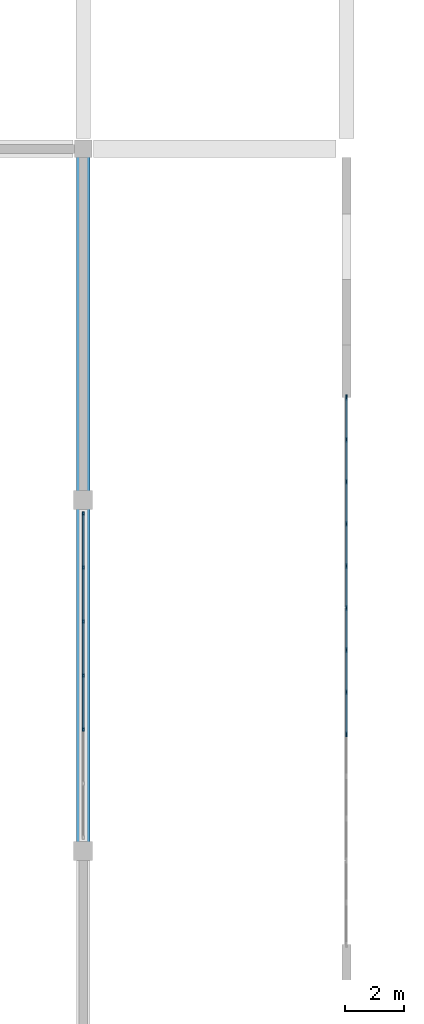
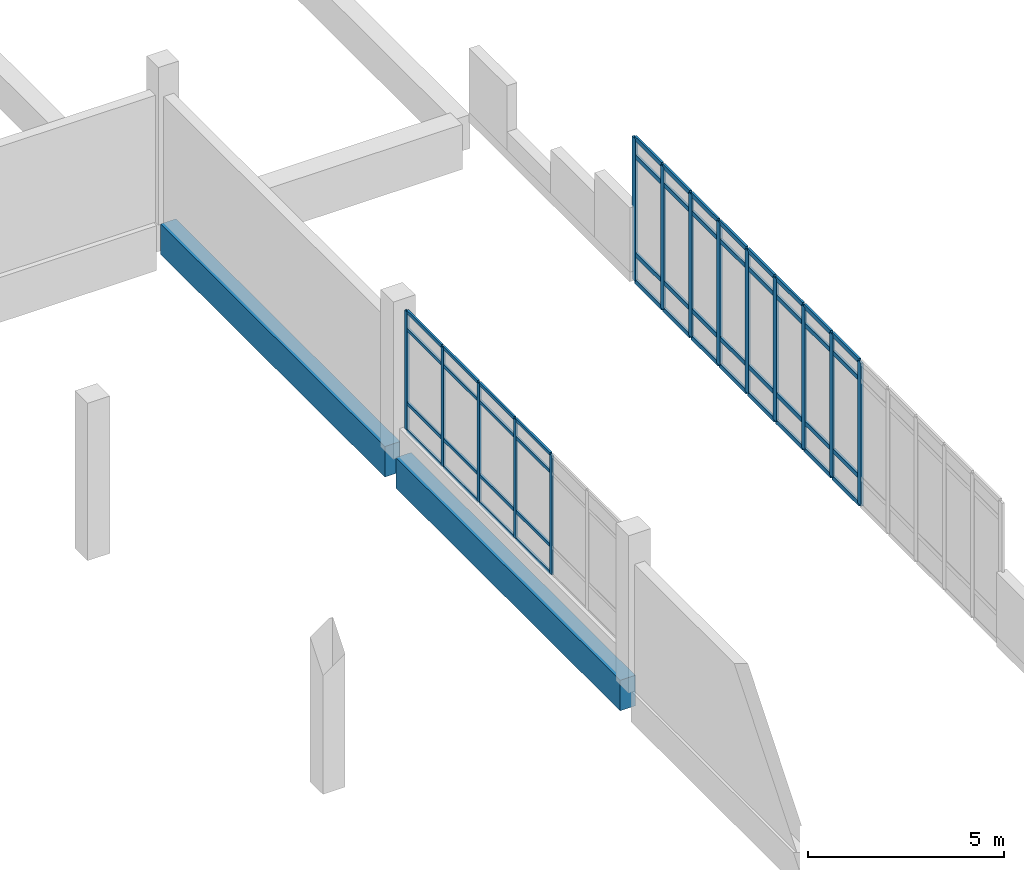
# One storey, part 21 of 63: 62 members, 2 beams, 2 elements without a shape of their own.
"""IFC4 building model written with IfcOpenShell, lengths in metres."""

from ifc_helpers import new_model, si_unit, direction, frame, origin, origin_2d, place, context, subcontext, project, spatial, rectangle, extrude, material, layer, layer_set, material_profile, profile_set, type_object, element, aggregate, save


model = new_model("IFC4")

# Units and contexts
model_context = context("Model", 3, precision=1e-05, world=origin(), true_north=direction((0.0, 1.0)))
body_context = subcontext(model_context, "Body", "Model", "MODEL_VIEW")
ifc_project = project(units=[si_unit("LENGTHUNIT", "METRE"), si_unit("AREAUNIT", "SQUARE_METRE"), si_unit("VOLUMEUNIT", "CUBIC_METRE"), si_unit("PLANEANGLEUNIT", "RADIAN"), si_unit("MASSUNIT", "GRAM", prefix="KILO")], contexts=[model_context])

# Site, building, storey
site_placement = place(None, origin())
site = spatial("IfcSite", under=ifc_project, at=site_placement, CompositionType="ELEMENT")
building_placement = place(site_placement, origin())
building = spatial("IfcBuilding", under=site, at=building_placement, Name="Zacnel Wholesale Market", CompositionType="ELEMENT")
storey_placement = place(building_placement, frame((0.0, 0.0, 11.199951171875)))
storey = spatial("IfcBuildingStorey", under=building, at=storey_placement, Name="L03", CompositionType="ELEMENT", Elevation=11.199951171875)

# Beams
ifc_material_1 = material(Name="Precast concrete C45/55", Category="concrete")
ifc_material_profile_1 = material_profile(ifc_material_1, rectangle(XDim=0.449951171875, YDim=0.949951171875, at=origin_2d()), Name="PG 450x950")
ifc_profile_set_1 = profile_set([ifc_material_profile_1], Name="Precast concrete C45/55")
beam_type = type_object("IfcBeamType", Name="BM-PG950", PredefinedType="BEAM", material=ifc_profile_set_1)
for number, where, z_axis, x_axis, name in (
    (1, (180.0, 108.280029296875, -0.474853515625), (0.0, 1.0, 0.0), (-1.0, 0.0, 0.0), "Crossing drum base girder Y-05"),
    (2, (180.0, 120.280029296875, -0.474853515625), (0.0, 1.0, 0.0), (-1.0, 0.0, 0.0), "Crossing drum base girder Y-06"),
):
    element("IfcBeam", number, at=place(storey_placement, frame(where, z_axis=z_axis, x_axis=x_axis)), inside=storey, type_object=beam_type, Name=name, PredefinedType="BEAM", context=body_context, shape_type="SweptSolid", body=[
        extrude(rectangle(XDim=0.449951171875, YDim=0.949951171875, at=origin_2d()), origin(), (0.0, 0.0, 1.0), 11.43994140625),
    ])

# Curtain wall, members
ifc_material_2 = material(Name="Anodised aluminium", Category="aluminium")
ifc_layer_1 = layer(ifc_material_2, 0.159912109375)
ifc_layer_set_1 = layer_set([ifc_layer_1], Name="Anodised aluminium")
curtain_wall_type_1 = type_object("IfcCurtainWallType", Name="CW-NAVE-4200", PredefinedType="NOTDEFINED", material=ifc_layer_set_1)
curtain_wall_1_placement = place(storey_placement, origin())
curtain_wall_1 = element("IfcCurtainWall", 3, at=curtain_wall_1_placement, inside=storey, type_object=curtain_wall_type_1, Name="Curtain wall ENV-CW-GABLE-NW-E", PredefinedType="NOTDEFINED")
ifc_material_3 = material(Name="Anodised aluminium", Category="aluminium")
ifc_material_profile_2 = material_profile(ifc_material_3, rectangle(XDim=0.06494140625, YDim=0.179931640625, at=origin_2d()), Name="AW-MULLION 65x180")
ifc_profile_set_2 = profile_set([ifc_material_profile_2], Name="Anodised aluminium")
member_type_1 = type_object("IfcMemberType", Name="CWM-MUL-03", PredefinedType="MULLION", material=ifc_profile_set_2)
member_1_placement = place(storey_placement, frame((189.0, 111.9921875, 0.0), z_axis=(0.0, 0.0, 1.0), x_axis=(1.0, 0.0, 0.0)))
member_1 = element("IfcMember", 4, at=member_1_placement, type_object=member_type_1, Name="ENV-CW-GABLE-NW-E mullion 06", PredefinedType="MULLION", context=body_context, shape_type="SweptSolid", body=[
    extrude(rectangle(XDim=0.06494140625, YDim=0.179931640625, at=origin_2d()), origin(), (0.0, 0.0, 1.0), 4.449951171875),
])
member_2_placement = place(storey_placement, frame((189.0, 113.430908203125, 0.0), z_axis=(0.0, 0.0, 1.0), x_axis=(1.0, 0.0, 0.0)))
member_2 = element("IfcMember", 5, at=member_2_placement, type_object=member_type_1, Name="ENV-CW-GABLE-NW-E mullion 07", PredefinedType="MULLION", context=body_context, shape_type="SweptSolid", body=[
    extrude(rectangle(XDim=0.06494140625, YDim=0.179931640625, at=origin_2d()), origin(), (0.0, 0.0, 1.0), 4.449951171875),
])
member_3_placement = place(storey_placement, frame((189.0, 114.869140625, 0.0), z_axis=(0.0, 0.0, 1.0), x_axis=(1.0, 0.0, 0.0)))
member_3 = element("IfcMember", 6, at=member_3_placement, type_object=member_type_1, Name="ENV-CW-GABLE-NW-E mullion 08", PredefinedType="MULLION", context=body_context, shape_type="SweptSolid", body=[
    extrude(rectangle(XDim=0.06494140625, YDim=0.179931640625, at=origin_2d()), origin(), (0.0, 0.0, 1.0), 4.449951171875),
])
member_4_placement = place(storey_placement, frame((189.0, 116.3076171875, 0.0), z_axis=(0.0, 0.0, 1.0), x_axis=(1.0, 0.0, 0.0)))
member_4 = element("IfcMember", 7, at=member_4_placement, type_object=member_type_1, Name="ENV-CW-GABLE-NW-E mullion 09", PredefinedType="MULLION", context=body_context, shape_type="SweptSolid", body=[
    extrude(rectangle(XDim=0.06494140625, YDim=0.179931640625, at=origin_2d()), origin(), (0.0, 0.0, 1.0), 4.449951171875),
])
member_5_placement = place(storey_placement, frame((189.0, 117.74609375, 0.0), z_axis=(0.0, 0.0, 1.0), x_axis=(1.0, 0.0, 0.0)))
member_5 = element("IfcMember", 8, at=member_5_placement, type_object=member_type_1, Name="ENV-CW-GABLE-NW-E mullion 10", PredefinedType="MULLION", context=body_context, shape_type="SweptSolid", body=[
    extrude(rectangle(XDim=0.06494140625, YDim=0.179931640625, at=origin_2d()), origin(), (0.0, 0.0, 1.0), 4.449951171875),
])
member_6_placement = place(storey_placement, frame((189.0, 119.1845703125, 0.0), z_axis=(0.0, 0.0, 1.0), x_axis=(1.0, 0.0, 0.0)))
member_6 = element("IfcMember", 9, at=member_6_placement, type_object=member_type_1, Name="ENV-CW-GABLE-NW-E mullion 11", PredefinedType="MULLION", context=body_context, shape_type="SweptSolid", body=[
    extrude(rectangle(XDim=0.06494140625, YDim=0.179931640625, at=origin_2d()), origin(), (0.0, 0.0, 1.0), 4.449951171875),
])
member_7_placement = place(storey_placement, frame((189.0, 120.623046875, 0.0), z_axis=(0.0, 0.0, 1.0), x_axis=(1.0, 0.0, 0.0)))
member_7 = element("IfcMember", 10, at=member_7_placement, type_object=member_type_1, Name="ENV-CW-GABLE-NW-E mullion 12", PredefinedType="MULLION", context=body_context, shape_type="SweptSolid", body=[
    extrude(rectangle(XDim=0.06494140625, YDim=0.179931640625, at=origin_2d()), origin(), (0.0, 0.0, 1.0), 4.449951171875),
])
member_8_placement = place(storey_placement, frame((189.0, 122.0615234375, 0.0), z_axis=(0.0, 0.0, 1.0), x_axis=(1.0, 0.0, 0.0)))
member_8 = element("IfcMember", 11, at=member_8_placement, type_object=member_type_1, Name="ENV-CW-GABLE-NW-E mullion 13", PredefinedType="MULLION", context=body_context, shape_type="SweptSolid", body=[
    extrude(rectangle(XDim=0.06494140625, YDim=0.179931640625, at=origin_2d()), origin(), (0.0, 0.0, 1.0), 4.449951171875),
])
member_9_placement = place(storey_placement, frame((189.0, 123.5, 0.0), z_axis=(0.0, 0.0, 1.0), x_axis=(1.0, 0.0, 0.0)))
member_9 = element("IfcMember", 12, at=member_9_placement, type_object=member_type_1, Name="ENV-CW-GABLE-NW-E mullion 14", PredefinedType="MULLION", context=body_context, shape_type="SweptSolid", body=[
    extrude(rectangle(XDim=0.06494140625, YDim=0.179931640625, at=origin_2d()), origin(), (0.0, 0.0, 1.0), 4.449951171875),
])

ifc_material_4 = material(Name="Anodised aluminium", Category="aluminium")
ifc_layer_2 = layer(ifc_material_4, 0.14990234375)
ifc_layer_set_2 = layer_set([ifc_layer_2], Name="Anodised aluminium")
curtain_wall_type_2 = type_object("IfcCurtainWallType", Name="CW-CLER-3600", PredefinedType="NOTDEFINED", material=ifc_layer_set_2)
curtain_wall_2_placement = place(storey_placement, origin())
curtain_wall_2 = element("IfcCurtainWall", 13, at=curtain_wall_2_placement, inside=storey, type_object=curtain_wall_type_2, Name="Curtain wall ENV-CW-XDRUM-E-2", PredefinedType="NOTDEFINED")
ifc_material_5 = material(Name="Anodised aluminium", Category="aluminium")
ifc_material_profile_3 = material_profile(ifc_material_5, rectangle(XDim=0.06005859375, YDim=0.1298828125, at=origin_2d()), Name="AW-MULLION 60x130")
ifc_profile_set_3 = profile_set([ifc_material_profile_3], Name="Anodised aluminium")
member_type_2 = type_object("IfcMemberType", Name="CWM-MUL-06", PredefinedType="MULLION", material=ifc_profile_set_3)
member_10_placement = place(storey_placement, frame((180.0, 112.1533203125, 0.900146484375), z_axis=(0.0, 0.0, 1.0), x_axis=(1.0, 0.0, 0.0)))
member_10 = element("IfcMember", 14, at=member_10_placement, type_object=member_type_2, Name="ENV-CW-XDRUM-E-2 mullion 03", PredefinedType="MULLION", context=body_context, shape_type="SweptSolid", body=[
    extrude(rectangle(XDim=0.06005859375, YDim=0.1298828125, at=origin_2d()), origin(), (0.0, 0.0, 1.0), 3.699951171875),
])
member_11_placement = place(storey_placement, frame((180.0, 114.0, 0.900146484375), z_axis=(0.0, 0.0, 1.0), x_axis=(1.0, 0.0, 0.0)))
member_11 = element("IfcMember", 15, at=member_11_placement, type_object=member_type_2, Name="ENV-CW-XDRUM-E-2 mullion 04", PredefinedType="MULLION", context=body_context, shape_type="SweptSolid", body=[
    extrude(rectangle(XDim=0.06005859375, YDim=0.1298828125, at=origin_2d()), origin(), (0.0, 0.0, 1.0), 3.699951171875),
])
member_12_placement = place(storey_placement, frame((180.0, 115.8466796875, 0.900146484375), z_axis=(0.0, 0.0, 1.0), x_axis=(1.0, 0.0, 0.0)))
member_12 = element("IfcMember", 16, at=member_12_placement, type_object=member_type_2, Name="ENV-CW-XDRUM-E-2 mullion 05", PredefinedType="MULLION", context=body_context, shape_type="SweptSolid", body=[
    extrude(rectangle(XDim=0.06005859375, YDim=0.1298828125, at=origin_2d()), origin(), (0.0, 0.0, 1.0), 3.699951171875),
])
member_13_placement = place(storey_placement, frame((180.0, 117.693359375, 0.900146484375), z_axis=(0.0, 0.0, 1.0), x_axis=(1.0, 0.0, 0.0)))
member_13 = element("IfcMember", 17, at=member_13_placement, type_object=member_type_2, Name="ENV-CW-XDRUM-E-2 mullion 06", PredefinedType="MULLION", context=body_context, shape_type="SweptSolid", body=[
    extrude(rectangle(XDim=0.06005859375, YDim=0.1298828125, at=origin_2d()), origin(), (0.0, 0.0, 1.0), 3.699951171875),
])
member_14_placement = place(storey_placement, frame((180.0, 119.5400390625, 0.900146484375), z_axis=(0.0, 0.0, 1.0), x_axis=(1.0, 0.0, 0.0)))
member_14 = element("IfcMember", 18, at=member_14_placement, type_object=member_type_2, Name="ENV-CW-XDRUM-E-2 mullion 07", PredefinedType="MULLION", context=body_context, shape_type="SweptSolid", body=[
    extrude(rectangle(XDim=0.06005859375, YDim=0.1298828125, at=origin_2d()), origin(), (0.0, 0.0, 1.0), 3.699951171875),
])

# Member
ifc_material_6 = material(Name="Anodised aluminium", Category="aluminium")
ifc_material_profile_4 = material_profile(ifc_material_6, rectangle(XDim=0.06494140625, YDim=0.139892578125, at=origin_2d()), Name="AW-TRANSOM 65x140")
ifc_profile_set_4 = profile_set([ifc_material_profile_4], Name="Anodised aluminium")
member_type_3 = type_object("IfcMemberType", Name="CWM-TRN-03", PredefinedType="USERDEFINED", material=ifc_profile_set_4)
member_15_placement = place(storey_placement, frame((189.0, 112.02734375, 0.0), z_axis=(0.0, 1.0, 0.0), x_axis=(-1.0, 0.0, 0.0)))
member_15 = element("IfcMember", 19, at=member_15_placement, type_object=member_type_3, Name="ENV-CW-GABLE-NW-E transom 6-1", ObjectType="TRANSOM", PredefinedType="USERDEFINED", context=body_context, shape_type="SweptSolid", body=[
    extrude(rectangle(XDim=0.06494140625, YDim=0.139892578125, at=origin_2d()), origin(), (0.0, 0.0, 1.0), 1.368408203125),
])

member_16_placement = place(storey_placement, frame((189.0, 112.02734375, 0.85009765625), z_axis=(0.0, 1.0, 0.0), x_axis=(-1.0, 0.0, 0.0)))
member_16 = element("IfcMember", 20, at=member_16_placement, type_object=member_type_3, Name="ENV-CW-GABLE-NW-E transom 6-2", ObjectType="TRANSOM", PredefinedType="USERDEFINED", context=body_context, shape_type="SweptSolid", body=[
    extrude(rectangle(XDim=0.06494140625, YDim=0.139892578125, at=origin_2d()), origin(), (0.0, 0.0, 1.0), 1.368408203125),
])

member_17_placement = place(storey_placement, frame((189.0, 112.02734375, 3.900146484375), z_axis=(0.0, 1.0, 0.0), x_axis=(-1.0, 0.0, 0.0)))
member_17 = element("IfcMember", 21, at=member_17_placement, type_object=member_type_3, Name="ENV-CW-GABLE-NW-E transom 6-3", ObjectType="TRANSOM", PredefinedType="USERDEFINED", context=body_context, shape_type="SweptSolid", body=[
    extrude(rectangle(XDim=0.06494140625, YDim=0.139892578125, at=origin_2d()), origin(), (0.0, 0.0, 1.0), 1.368408203125),
])

member_18_placement = place(storey_placement, frame((189.0, 112.02734375, 4.449951171875), z_axis=(0.0, 1.0, 0.0), x_axis=(-1.0, 0.0, 0.0)))
member_18 = element("IfcMember", 22, at=member_18_placement, type_object=member_type_3, Name="ENV-CW-GABLE-NW-E transom 6-4", ObjectType="TRANSOM", PredefinedType="USERDEFINED", context=body_context, shape_type="SweptSolid", body=[
    extrude(rectangle(XDim=0.06494140625, YDim=0.139892578125, at=origin_2d()), origin(), (0.0, 0.0, 1.0), 1.368408203125),
])

member_19_placement = place(storey_placement, frame((189.0, 113.4658203125, 0.0), z_axis=(0.0, 1.0, 0.0), x_axis=(-1.0, 0.0, 0.0)))
member_19 = element("IfcMember", 23, at=member_19_placement, type_object=member_type_3, Name="ENV-CW-GABLE-NW-E transom 7-1", ObjectType="TRANSOM", PredefinedType="USERDEFINED", context=body_context, shape_type="SweptSolid", body=[
    extrude(rectangle(XDim=0.06494140625, YDim=0.139892578125, at=origin_2d()), origin(), (0.0, 0.0, 1.0), 1.368408203125),
])

member_20_placement = place(storey_placement, frame((189.0, 113.4658203125, 0.85009765625), z_axis=(0.0, 1.0, 0.0), x_axis=(-1.0, 0.0, 0.0)))
member_20 = element("IfcMember", 24, at=member_20_placement, type_object=member_type_3, Name="ENV-CW-GABLE-NW-E transom 7-2", ObjectType="TRANSOM", PredefinedType="USERDEFINED", context=body_context, shape_type="SweptSolid", body=[
    extrude(rectangle(XDim=0.06494140625, YDim=0.139892578125, at=origin_2d()), origin(), (0.0, 0.0, 1.0), 1.368408203125),
])

member_21_placement = place(storey_placement, frame((189.0, 113.4658203125, 3.900146484375), z_axis=(0.0, 1.0, 0.0), x_axis=(-1.0, 0.0, 0.0)))
member_21 = element("IfcMember", 25, at=member_21_placement, type_object=member_type_3, Name="ENV-CW-GABLE-NW-E transom 7-3", ObjectType="TRANSOM", PredefinedType="USERDEFINED", context=body_context, shape_type="SweptSolid", body=[
    extrude(rectangle(XDim=0.06494140625, YDim=0.139892578125, at=origin_2d()), origin(), (0.0, 0.0, 1.0), 1.368408203125),
])

member_22_placement = place(storey_placement, frame((189.0, 113.4658203125, 4.449951171875), z_axis=(0.0, 1.0, 0.0), x_axis=(-1.0, 0.0, 0.0)))
member_22 = element("IfcMember", 26, at=member_22_placement, type_object=member_type_3, Name="ENV-CW-GABLE-NW-E transom 7-4", ObjectType="TRANSOM", PredefinedType="USERDEFINED", context=body_context, shape_type="SweptSolid", body=[
    extrude(rectangle(XDim=0.06494140625, YDim=0.139892578125, at=origin_2d()), origin(), (0.0, 0.0, 1.0), 1.368408203125),
])

member_23_placement = place(storey_placement, frame((189.0, 114.904296875, 0.0), z_axis=(0.0, 1.0, 0.0), x_axis=(-1.0, 0.0, 0.0)))
member_23 = element("IfcMember", 27, at=member_23_placement, type_object=member_type_3, Name="ENV-CW-GABLE-NW-E transom 8-1", ObjectType="TRANSOM", PredefinedType="USERDEFINED", context=body_context, shape_type="SweptSolid", body=[
    extrude(rectangle(XDim=0.06494140625, YDim=0.139892578125, at=origin_2d()), origin(), (0.0, 0.0, 1.0), 1.368408203125),
])

member_24_placement = place(storey_placement, frame((189.0, 114.904296875, 0.85009765625), z_axis=(0.0, 1.0, 0.0), x_axis=(-1.0, 0.0, 0.0)))
member_24 = element("IfcMember", 28, at=member_24_placement, type_object=member_type_3, Name="ENV-CW-GABLE-NW-E transom 8-2", ObjectType="TRANSOM", PredefinedType="USERDEFINED", context=body_context, shape_type="SweptSolid", body=[
    extrude(rectangle(XDim=0.06494140625, YDim=0.139892578125, at=origin_2d()), origin(), (0.0, 0.0, 1.0), 1.368408203125),
])

member_25_placement = place(storey_placement, frame((189.0, 114.904296875, 3.900146484375), z_axis=(0.0, 1.0, 0.0), x_axis=(-1.0, 0.0, 0.0)))
member_25 = element("IfcMember", 29, at=member_25_placement, type_object=member_type_3, Name="ENV-CW-GABLE-NW-E transom 8-3", ObjectType="TRANSOM", PredefinedType="USERDEFINED", context=body_context, shape_type="SweptSolid", body=[
    extrude(rectangle(XDim=0.06494140625, YDim=0.139892578125, at=origin_2d()), origin(), (0.0, 0.0, 1.0), 1.368408203125),
])

member_26_placement = place(storey_placement, frame((189.0, 114.904296875, 4.449951171875), z_axis=(0.0, 1.0, 0.0), x_axis=(-1.0, 0.0, 0.0)))
member_26 = element("IfcMember", 30, at=member_26_placement, type_object=member_type_3, Name="ENV-CW-GABLE-NW-E transom 8-4", ObjectType="TRANSOM", PredefinedType="USERDEFINED", context=body_context, shape_type="SweptSolid", body=[
    extrude(rectangle(XDim=0.06494140625, YDim=0.139892578125, at=origin_2d()), origin(), (0.0, 0.0, 1.0), 1.368408203125),
])

member_27_placement = place(storey_placement, frame((189.0, 116.3427734375, 0.0), z_axis=(0.0, 1.0, 0.0), x_axis=(-1.0, 0.0, 0.0)))
member_27 = element("IfcMember", 31, at=member_27_placement, type_object=member_type_3, Name="ENV-CW-GABLE-NW-E transom 9-1", ObjectType="TRANSOM", PredefinedType="USERDEFINED", context=body_context, shape_type="SweptSolid", body=[
    extrude(rectangle(XDim=0.06494140625, YDim=0.139892578125, at=origin_2d()), origin(), (0.0, 0.0, 1.0), 1.368408203125),
])

member_28_placement = place(storey_placement, frame((189.0, 116.3427734375, 0.85009765625), z_axis=(0.0, 1.0, 0.0), x_axis=(-1.0, 0.0, 0.0)))
member_28 = element("IfcMember", 32, at=member_28_placement, type_object=member_type_3, Name="ENV-CW-GABLE-NW-E transom 9-2", ObjectType="TRANSOM", PredefinedType="USERDEFINED", context=body_context, shape_type="SweptSolid", body=[
    extrude(rectangle(XDim=0.06494140625, YDim=0.139892578125, at=origin_2d()), origin(), (0.0, 0.0, 1.0), 1.368408203125),
])

member_29_placement = place(storey_placement, frame((189.0, 116.3427734375, 3.900146484375), z_axis=(0.0, 1.0, 0.0), x_axis=(-1.0, 0.0, 0.0)))
member_29 = element("IfcMember", 33, at=member_29_placement, type_object=member_type_3, Name="ENV-CW-GABLE-NW-E transom 9-3", ObjectType="TRANSOM", PredefinedType="USERDEFINED", context=body_context, shape_type="SweptSolid", body=[
    extrude(rectangle(XDim=0.06494140625, YDim=0.139892578125, at=origin_2d()), origin(), (0.0, 0.0, 1.0), 1.368408203125),
])

member_30_placement = place(storey_placement, frame((189.0, 116.3427734375, 4.449951171875), z_axis=(0.0, 1.0, 0.0), x_axis=(-1.0, 0.0, 0.0)))
member_30 = element("IfcMember", 34, at=member_30_placement, type_object=member_type_3, Name="ENV-CW-GABLE-NW-E transom 9-4", ObjectType="TRANSOM", PredefinedType="USERDEFINED", context=body_context, shape_type="SweptSolid", body=[
    extrude(rectangle(XDim=0.06494140625, YDim=0.139892578125, at=origin_2d()), origin(), (0.0, 0.0, 1.0), 1.368408203125),
])

member_31_placement = place(storey_placement, frame((189.0, 117.78125, 0.0), z_axis=(0.0, 1.0, 0.0), x_axis=(-1.0, 0.0, 0.0)))
member_31 = element("IfcMember", 35, at=member_31_placement, type_object=member_type_3, Name="ENV-CW-GABLE-NW-E transom 10-1", ObjectType="TRANSOM", PredefinedType="USERDEFINED", context=body_context, shape_type="SweptSolid", body=[
    extrude(rectangle(XDim=0.06494140625, YDim=0.139892578125, at=origin_2d()), origin(), (0.0, 0.0, 1.0), 1.368408203125),
])

member_32_placement = place(storey_placement, frame((189.0, 117.78125, 0.85009765625), z_axis=(0.0, 1.0, 0.0), x_axis=(-1.0, 0.0, 0.0)))
member_32 = element("IfcMember", 36, at=member_32_placement, type_object=member_type_3, Name="ENV-CW-GABLE-NW-E transom 10-2", ObjectType="TRANSOM", PredefinedType="USERDEFINED", context=body_context, shape_type="SweptSolid", body=[
    extrude(rectangle(XDim=0.06494140625, YDim=0.139892578125, at=origin_2d()), origin(), (0.0, 0.0, 1.0), 1.368408203125),
])

member_33_placement = place(storey_placement, frame((189.0, 117.78125, 3.900146484375), z_axis=(0.0, 1.0, 0.0), x_axis=(-1.0, 0.0, 0.0)))
member_33 = element("IfcMember", 37, at=member_33_placement, type_object=member_type_3, Name="ENV-CW-GABLE-NW-E transom 10-3", ObjectType="TRANSOM", PredefinedType="USERDEFINED", context=body_context, shape_type="SweptSolid", body=[
    extrude(rectangle(XDim=0.06494140625, YDim=0.139892578125, at=origin_2d()), origin(), (0.0, 0.0, 1.0), 1.368408203125),
])

member_34_placement = place(storey_placement, frame((189.0, 117.78125, 4.449951171875), z_axis=(0.0, 1.0, 0.0), x_axis=(-1.0, 0.0, 0.0)))
member_34 = element("IfcMember", 38, at=member_34_placement, type_object=member_type_3, Name="ENV-CW-GABLE-NW-E transom 10-4", ObjectType="TRANSOM", PredefinedType="USERDEFINED", context=body_context, shape_type="SweptSolid", body=[
    extrude(rectangle(XDim=0.06494140625, YDim=0.139892578125, at=origin_2d()), origin(), (0.0, 0.0, 1.0), 1.368408203125),
])

member_35_placement = place(storey_placement, frame((189.0, 119.219482421875, 0.0), z_axis=(0.0, 1.0, 0.0), x_axis=(-1.0, 0.0, 0.0)))
member_35 = element("IfcMember", 39, at=member_35_placement, type_object=member_type_3, Name="ENV-CW-GABLE-NW-E transom 11-1", ObjectType="TRANSOM", PredefinedType="USERDEFINED", context=body_context, shape_type="SweptSolid", body=[
    extrude(rectangle(XDim=0.06494140625, YDim=0.139892578125, at=origin_2d()), origin(), (0.0, 0.0, 1.0), 1.36865234375),
])

member_36_placement = place(storey_placement, frame((189.0, 119.219482421875, 0.85009765625), z_axis=(0.0, 1.0, 0.0), x_axis=(-1.0, 0.0, 0.0)))
member_36 = element("IfcMember", 40, at=member_36_placement, type_object=member_type_3, Name="ENV-CW-GABLE-NW-E transom 11-2", ObjectType="TRANSOM", PredefinedType="USERDEFINED", context=body_context, shape_type="SweptSolid", body=[
    extrude(rectangle(XDim=0.06494140625, YDim=0.139892578125, at=origin_2d()), origin(), (0.0, 0.0, 1.0), 1.36865234375),
])

member_37_placement = place(storey_placement, frame((189.0, 119.219482421875, 3.900146484375), z_axis=(0.0, 1.0, 0.0), x_axis=(-1.0, 0.0, 0.0)))
member_37 = element("IfcMember", 41, at=member_37_placement, type_object=member_type_3, Name="ENV-CW-GABLE-NW-E transom 11-3", ObjectType="TRANSOM", PredefinedType="USERDEFINED", context=body_context, shape_type="SweptSolid", body=[
    extrude(rectangle(XDim=0.06494140625, YDim=0.139892578125, at=origin_2d()), origin(), (0.0, 0.0, 1.0), 1.36865234375),
])

member_38_placement = place(storey_placement, frame((189.0, 119.219482421875, 4.449951171875), z_axis=(0.0, 1.0, 0.0), x_axis=(-1.0, 0.0, 0.0)))
member_38 = element("IfcMember", 42, at=member_38_placement, type_object=member_type_3, Name="ENV-CW-GABLE-NW-E transom 11-4", ObjectType="TRANSOM", PredefinedType="USERDEFINED", context=body_context, shape_type="SweptSolid", body=[
    extrude(rectangle(XDim=0.06494140625, YDim=0.139892578125, at=origin_2d()), origin(), (0.0, 0.0, 1.0), 1.36865234375),
])

member_39_placement = place(storey_placement, frame((189.0, 120.658203125, 0.0), z_axis=(0.0, 1.0, 0.0), x_axis=(-1.0, 0.0, 0.0)))
member_39 = element("IfcMember", 43, at=member_39_placement, type_object=member_type_3, Name="ENV-CW-GABLE-NW-E transom 12-1", ObjectType="TRANSOM", PredefinedType="USERDEFINED", context=body_context, shape_type="SweptSolid", body=[
    extrude(rectangle(XDim=0.06494140625, YDim=0.139892578125, at=origin_2d()), origin(), (0.0, 0.0, 1.0), 1.368408203125),
])

member_40_placement = place(storey_placement, frame((189.0, 120.658203125, 0.85009765625), z_axis=(0.0, 1.0, 0.0), x_axis=(-1.0, 0.0, 0.0)))
member_40 = element("IfcMember", 44, at=member_40_placement, type_object=member_type_3, Name="ENV-CW-GABLE-NW-E transom 12-2", ObjectType="TRANSOM", PredefinedType="USERDEFINED", context=body_context, shape_type="SweptSolid", body=[
    extrude(rectangle(XDim=0.06494140625, YDim=0.139892578125, at=origin_2d()), origin(), (0.0, 0.0, 1.0), 1.368408203125),
])

member_41_placement = place(storey_placement, frame((189.0, 120.658203125, 3.900146484375), z_axis=(0.0, 1.0, 0.0), x_axis=(-1.0, 0.0, 0.0)))
member_41 = element("IfcMember", 45, at=member_41_placement, type_object=member_type_3, Name="ENV-CW-GABLE-NW-E transom 12-3", ObjectType="TRANSOM", PredefinedType="USERDEFINED", context=body_context, shape_type="SweptSolid", body=[
    extrude(rectangle(XDim=0.06494140625, YDim=0.139892578125, at=origin_2d()), origin(), (0.0, 0.0, 1.0), 1.368408203125),
])

member_42_placement = place(storey_placement, frame((189.0, 120.658203125, 4.449951171875), z_axis=(0.0, 1.0, 0.0), x_axis=(-1.0, 0.0, 0.0)))
member_42 = element("IfcMember", 46, at=member_42_placement, type_object=member_type_3, Name="ENV-CW-GABLE-NW-E transom 12-4", ObjectType="TRANSOM", PredefinedType="USERDEFINED", context=body_context, shape_type="SweptSolid", body=[
    extrude(rectangle(XDim=0.06494140625, YDim=0.139892578125, at=origin_2d()), origin(), (0.0, 0.0, 1.0), 1.368408203125),
])

member_43_placement = place(storey_placement, frame((189.0, 122.096435546875, 0.0), z_axis=(0.0, 1.0, 0.0), x_axis=(-1.0, 0.0, 0.0)))
member_43 = element("IfcMember", 47, at=member_43_placement, type_object=member_type_3, Name="ENV-CW-GABLE-NW-E transom 13-1", ObjectType="TRANSOM", PredefinedType="USERDEFINED", context=body_context, shape_type="SweptSolid", body=[
    extrude(rectangle(XDim=0.06494140625, YDim=0.139892578125, at=origin_2d()), origin(), (0.0, 0.0, 1.0), 1.36865234375),
])

member_44_placement = place(storey_placement, frame((189.0, 122.096435546875, 0.85009765625), z_axis=(0.0, 1.0, 0.0), x_axis=(-1.0, 0.0, 0.0)))
member_44 = element("IfcMember", 48, at=member_44_placement, type_object=member_type_3, Name="ENV-CW-GABLE-NW-E transom 13-2", ObjectType="TRANSOM", PredefinedType="USERDEFINED", context=body_context, shape_type="SweptSolid", body=[
    extrude(rectangle(XDim=0.06494140625, YDim=0.139892578125, at=origin_2d()), origin(), (0.0, 0.0, 1.0), 1.36865234375),
])

member_45_placement = place(storey_placement, frame((189.0, 122.096435546875, 3.900146484375), z_axis=(0.0, 1.0, 0.0), x_axis=(-1.0, 0.0, 0.0)))
member_45 = element("IfcMember", 49, at=member_45_placement, type_object=member_type_3, Name="ENV-CW-GABLE-NW-E transom 13-3", ObjectType="TRANSOM", PredefinedType="USERDEFINED", context=body_context, shape_type="SweptSolid", body=[
    extrude(rectangle(XDim=0.06494140625, YDim=0.139892578125, at=origin_2d()), origin(), (0.0, 0.0, 1.0), 1.36865234375),
])

member_46_placement = place(storey_placement, frame((189.0, 122.096435546875, 4.449951171875), z_axis=(0.0, 1.0, 0.0), x_axis=(-1.0, 0.0, 0.0)))
member_46 = element("IfcMember", 50, at=member_46_placement, type_object=member_type_3, Name="ENV-CW-GABLE-NW-E transom 13-4", ObjectType="TRANSOM", PredefinedType="USERDEFINED", context=body_context, shape_type="SweptSolid", body=[
    extrude(rectangle(XDim=0.06494140625, YDim=0.139892578125, at=origin_2d()), origin(), (0.0, 0.0, 1.0), 1.36865234375),
])

aggregate(curtain_wall_1, [member_1, member_2, member_3, member_4, member_5, member_6, member_7, member_8, member_9, member_15, member_16, member_17, member_18, member_19, member_20, member_21, member_22, member_23, member_24, member_25, member_26, member_27, member_28, member_29, member_30, member_31, member_32, member_33, member_34, member_35, member_36, member_37, member_38, member_39, member_40, member_41, member_42, member_43, member_44, member_45, member_46])

ifc_material_7 = material(Name="Anodised aluminium", Category="aluminium")
ifc_material_profile_5 = material_profile(ifc_material_7, rectangle(XDim=0.06005859375, YDim=0.10009765625, at=origin_2d()), Name="AW-TRANSOM 60x100")
ifc_profile_set_5 = profile_set([ifc_material_profile_5], Name="Anodised aluminium")
member_type_4 = type_object("IfcMemberType", Name="CWM-TRN-06", PredefinedType="USERDEFINED", material=ifc_profile_set_5)
member_47_placement = place(storey_placement, frame((180.0, 112.188232421875, 0.900146484375), z_axis=(0.0, 1.0, 0.0), x_axis=(-1.0, 0.0, 0.0)))
member_47 = element("IfcMember", 51, at=member_47_placement, type_object=member_type_4, Name="ENV-CW-XDRUM-E-2 transom 3-1", ObjectType="TRANSOM", PredefinedType="USERDEFINED", context=body_context, shape_type="SweptSolid", body=[
    extrude(rectangle(XDim=0.06005859375, YDim=0.10009765625, at=origin_2d()), origin(), (0.0, 0.0, 1.0), 1.77685546875),
])

member_48_placement = place(storey_placement, frame((180.0, 112.188232421875, 1.75), z_axis=(0.0, 1.0, 0.0), x_axis=(-1.0, 0.0, 0.0)))
member_48 = element("IfcMember", 52, at=member_48_placement, type_object=member_type_4, Name="ENV-CW-XDRUM-E-2 transom 3-2", ObjectType="TRANSOM", PredefinedType="USERDEFINED", context=body_context, shape_type="SweptSolid", body=[
    extrude(rectangle(XDim=0.06005859375, YDim=0.10009765625, at=origin_2d()), origin(), (0.0, 0.0, 1.0), 1.77685546875),
])

member_49_placement = place(storey_placement, frame((180.0, 112.188232421875, 4.050048828125), z_axis=(0.0, 1.0, 0.0), x_axis=(-1.0, 0.0, 0.0)))
member_49 = element("IfcMember", 53, at=member_49_placement, type_object=member_type_4, Name="ENV-CW-XDRUM-E-2 transom 3-3", ObjectType="TRANSOM", PredefinedType="USERDEFINED", context=body_context, shape_type="SweptSolid", body=[
    extrude(rectangle(XDim=0.06005859375, YDim=0.10009765625, at=origin_2d()), origin(), (0.0, 0.0, 1.0), 1.77685546875),
])

member_50_placement = place(storey_placement, frame((180.0, 112.188232421875, 4.60009765625), z_axis=(0.0, 1.0, 0.0), x_axis=(-1.0, 0.0, 0.0)))
member_50 = element("IfcMember", 54, at=member_50_placement, type_object=member_type_4, Name="ENV-CW-XDRUM-E-2 transom 3-4", ObjectType="TRANSOM", PredefinedType="USERDEFINED", context=body_context, shape_type="SweptSolid", body=[
    extrude(rectangle(XDim=0.06005859375, YDim=0.10009765625, at=origin_2d()), origin(), (0.0, 0.0, 1.0), 1.77685546875),
])

member_51_placement = place(storey_placement, frame((180.0, 114.034912109375, 0.900146484375), z_axis=(0.0, 1.0, 0.0), x_axis=(-1.0, 0.0, 0.0)))
member_51 = element("IfcMember", 55, at=member_51_placement, type_object=member_type_4, Name="ENV-CW-XDRUM-E-2 transom 4-1", ObjectType="TRANSOM", PredefinedType="USERDEFINED", context=body_context, shape_type="SweptSolid", body=[
    extrude(rectangle(XDim=0.06005859375, YDim=0.10009765625, at=origin_2d()), origin(), (0.0, 0.0, 1.0), 1.77685546875),
])

member_52_placement = place(storey_placement, frame((180.0, 114.034912109375, 1.75), z_axis=(0.0, 1.0, 0.0), x_axis=(-1.0, 0.0, 0.0)))
member_52 = element("IfcMember", 56, at=member_52_placement, type_object=member_type_4, Name="ENV-CW-XDRUM-E-2 transom 4-2", ObjectType="TRANSOM", PredefinedType="USERDEFINED", context=body_context, shape_type="SweptSolid", body=[
    extrude(rectangle(XDim=0.06005859375, YDim=0.10009765625, at=origin_2d()), origin(), (0.0, 0.0, 1.0), 1.77685546875),
])

member_53_placement = place(storey_placement, frame((180.0, 114.034912109375, 4.050048828125), z_axis=(0.0, 1.0, 0.0), x_axis=(-1.0, 0.0, 0.0)))
member_53 = element("IfcMember", 57, at=member_53_placement, type_object=member_type_4, Name="ENV-CW-XDRUM-E-2 transom 4-3", ObjectType="TRANSOM", PredefinedType="USERDEFINED", context=body_context, shape_type="SweptSolid", body=[
    extrude(rectangle(XDim=0.06005859375, YDim=0.10009765625, at=origin_2d()), origin(), (0.0, 0.0, 1.0), 1.77685546875),
])

member_54_placement = place(storey_placement, frame((180.0, 114.034912109375, 4.60009765625), z_axis=(0.0, 1.0, 0.0), x_axis=(-1.0, 0.0, 0.0)))
member_54 = element("IfcMember", 58, at=member_54_placement, type_object=member_type_4, Name="ENV-CW-XDRUM-E-2 transom 4-4", ObjectType="TRANSOM", PredefinedType="USERDEFINED", context=body_context, shape_type="SweptSolid", body=[
    extrude(rectangle(XDim=0.06005859375, YDim=0.10009765625, at=origin_2d()), origin(), (0.0, 0.0, 1.0), 1.77685546875),
])

member_55_placement = place(storey_placement, frame((180.0, 115.881591796875, 0.900146484375), z_axis=(0.0, 1.0, 0.0), x_axis=(-1.0, 0.0, 0.0)))
member_55 = element("IfcMember", 59, at=member_55_placement, type_object=member_type_4, Name="ENV-CW-XDRUM-E-2 transom 5-1", ObjectType="TRANSOM", PredefinedType="USERDEFINED", context=body_context, shape_type="SweptSolid", body=[
    extrude(rectangle(XDim=0.06005859375, YDim=0.10009765625, at=origin_2d()), origin(), (0.0, 0.0, 1.0), 1.776611328125),
])

member_56_placement = place(storey_placement, frame((180.0, 115.881591796875, 1.75), z_axis=(0.0, 1.0, 0.0), x_axis=(-1.0, 0.0, 0.0)))
member_56 = element("IfcMember", 60, at=member_56_placement, type_object=member_type_4, Name="ENV-CW-XDRUM-E-2 transom 5-2", ObjectType="TRANSOM", PredefinedType="USERDEFINED", context=body_context, shape_type="SweptSolid", body=[
    extrude(rectangle(XDim=0.06005859375, YDim=0.10009765625, at=origin_2d()), origin(), (0.0, 0.0, 1.0), 1.776611328125),
])

member_57_placement = place(storey_placement, frame((180.0, 115.881591796875, 4.050048828125), z_axis=(0.0, 1.0, 0.0), x_axis=(-1.0, 0.0, 0.0)))
member_57 = element("IfcMember", 61, at=member_57_placement, type_object=member_type_4, Name="ENV-CW-XDRUM-E-2 transom 5-3", ObjectType="TRANSOM", PredefinedType="USERDEFINED", context=body_context, shape_type="SweptSolid", body=[
    extrude(rectangle(XDim=0.06005859375, YDim=0.10009765625, at=origin_2d()), origin(), (0.0, 0.0, 1.0), 1.776611328125),
])

member_58_placement = place(storey_placement, frame((180.0, 115.881591796875, 4.60009765625), z_axis=(0.0, 1.0, 0.0), x_axis=(-1.0, 0.0, 0.0)))
member_58 = element("IfcMember", 62, at=member_58_placement, type_object=member_type_4, Name="ENV-CW-XDRUM-E-2 transom 5-4", ObjectType="TRANSOM", PredefinedType="USERDEFINED", context=body_context, shape_type="SweptSolid", body=[
    extrude(rectangle(XDim=0.06005859375, YDim=0.10009765625, at=origin_2d()), origin(), (0.0, 0.0, 1.0), 1.776611328125),
])

member_59_placement = place(storey_placement, frame((180.0, 117.728271484375, 0.900146484375), z_axis=(0.0, 1.0, 0.0), x_axis=(-1.0, 0.0, 0.0)))
member_59 = element("IfcMember", 63, at=member_59_placement, type_object=member_type_4, Name="ENV-CW-XDRUM-E-2 transom 6-1", ObjectType="TRANSOM", PredefinedType="USERDEFINED", context=body_context, shape_type="SweptSolid", body=[
    extrude(rectangle(XDim=0.06005859375, YDim=0.10009765625, at=origin_2d()), origin(), (0.0, 0.0, 1.0), 1.776611328125),
])

member_60_placement = place(storey_placement, frame((180.0, 117.728271484375, 1.75), z_axis=(0.0, 1.0, 0.0), x_axis=(-1.0, 0.0, 0.0)))
member_60 = element("IfcMember", 64, at=member_60_placement, type_object=member_type_4, Name="ENV-CW-XDRUM-E-2 transom 6-2", ObjectType="TRANSOM", PredefinedType="USERDEFINED", context=body_context, shape_type="SweptSolid", body=[
    extrude(rectangle(XDim=0.06005859375, YDim=0.10009765625, at=origin_2d()), origin(), (0.0, 0.0, 1.0), 1.776611328125),
])

member_61_placement = place(storey_placement, frame((180.0, 117.728271484375, 4.050048828125), z_axis=(0.0, 1.0, 0.0), x_axis=(-1.0, 0.0, 0.0)))
member_61 = element("IfcMember", 65, at=member_61_placement, type_object=member_type_4, Name="ENV-CW-XDRUM-E-2 transom 6-3", ObjectType="TRANSOM", PredefinedType="USERDEFINED", context=body_context, shape_type="SweptSolid", body=[
    extrude(rectangle(XDim=0.06005859375, YDim=0.10009765625, at=origin_2d()), origin(), (0.0, 0.0, 1.0), 1.776611328125),
])

member_62_placement = place(storey_placement, frame((180.0, 117.728271484375, 4.60009765625), z_axis=(0.0, 1.0, 0.0), x_axis=(-1.0, 0.0, 0.0)))
member_62 = element("IfcMember", 66, at=member_62_placement, type_object=member_type_4, Name="ENV-CW-XDRUM-E-2 transom 6-4", ObjectType="TRANSOM", PredefinedType="USERDEFINED", context=body_context, shape_type="SweptSolid", body=[
    extrude(rectangle(XDim=0.06005859375, YDim=0.10009765625, at=origin_2d()), origin(), (0.0, 0.0, 1.0), 1.776611328125),
])

aggregate(curtain_wall_2, [member_10, member_11, member_12, member_13, member_14, member_47, member_48, member_49, member_50, member_51, member_52, member_53, member_54, member_55, member_56, member_57, member_58, member_59, member_60, member_61, member_62])

save(model, "model.ifc")
